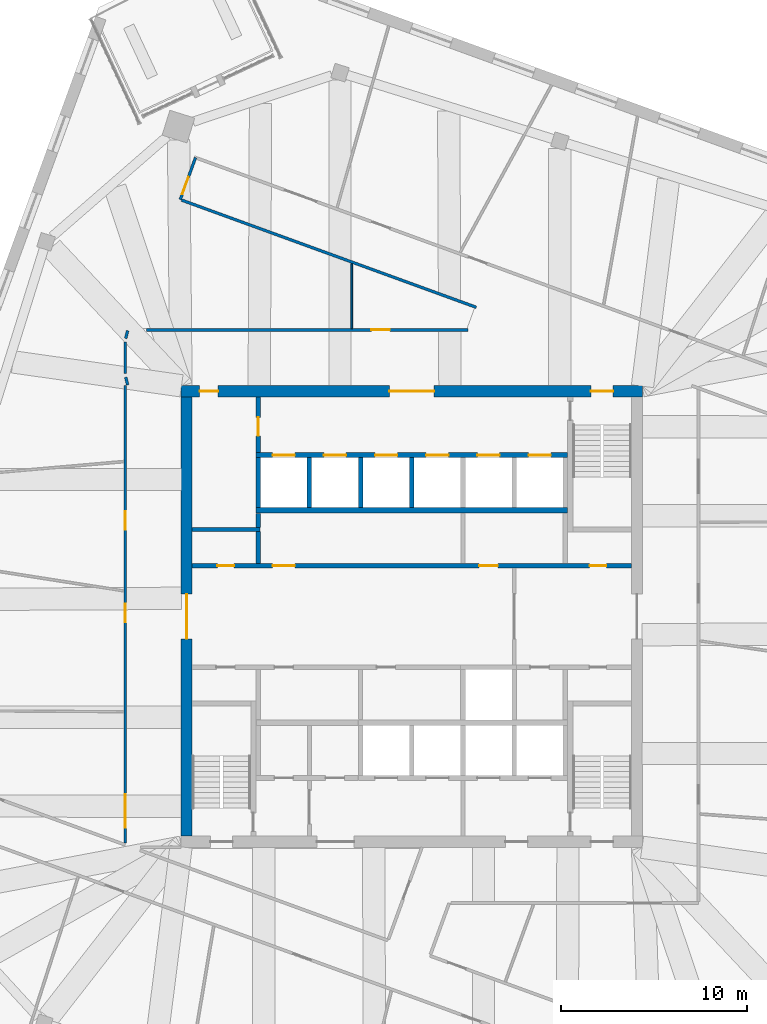
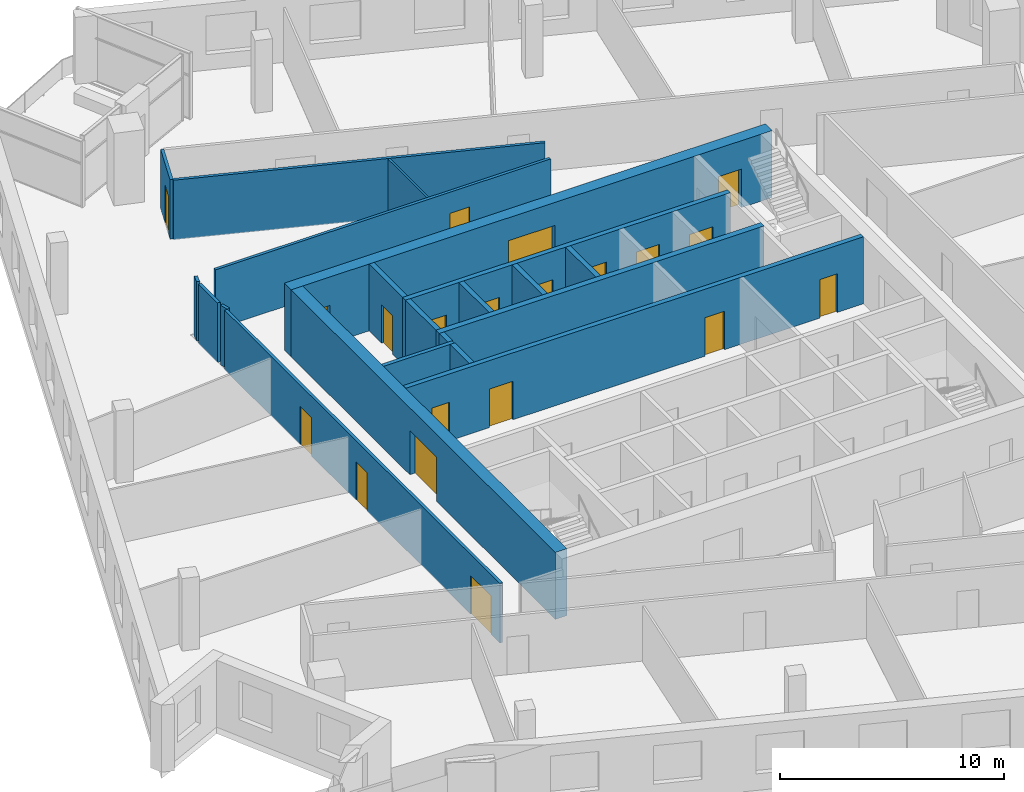
# One storey, part 9 of 13: 21 walls, 20 doors, 20 openings.
"""IFC4 building model written with IfcOpenShell, lengths in metres."""

from ifc_helpers import new_model, si_unit, direction, frame, frame_2d, origin, place, context, subcontext, project, spatial, rectangle, extrude, material, layer, layer_set, type_object, element, fill, save


model = new_model("IFC4")

# Units and contexts
model_context = context("Model", 3, precision=1e-05, world=origin(), true_north=direction((0.0, 1.0)))
body_context = subcontext(model_context, "Body", "Model", "MODEL_VIEW")
ifc_project = project(units=[si_unit("LENGTHUNIT", "METRE"), si_unit("AREAUNIT", "SQUARE_METRE"), si_unit("VOLUMEUNIT", "CUBIC_METRE"), si_unit("PLANEANGLEUNIT", "RADIAN"), si_unit("MASSUNIT", "GRAM", prefix="KILO")], contexts=[model_context])

# Site, building, storey
site_placement = place(None, origin())
site = spatial("IfcSite", under=ifc_project, at=site_placement, CompositionType="ELEMENT")
building_placement = place(site_placement, origin())
building = spatial("IfcBuilding", under=site, at=building_placement, Name="Dilmun Exchange Tower", CompositionType="ELEMENT")
storey_placement = place(building_placement, frame((0.0, 0.0, 304.5)))
storey = spatial("IfcBuildingStorey", under=building, at=storey_placement, Name="L72", CompositionType="ELEMENT", Elevation=304.5)

# Wall
ifc_material_1 = material(Name="Concrete C40/50", Category="concrete")
ifc_layer_1 = layer(ifc_material_1, 0.199951171875)
ifc_layer_set_1 = layer_set([ifc_layer_1], Name="Concrete C40/50")
wall_type_1 = type_object("IfcWallType", Name="Core partition wall 200", PredefinedType="PARTITIONING", material=ifc_layer_set_1)
wall_1_placement = place(storey_placement, frame((-11.794921875, 4.675048828125, 0.0), z_axis=(0.0, 0.0, 1.0), x_axis=(1.0, 0.0, 0.0)))
element("IfcWall", 1, at=wall_1_placement, inside=storey, type_object=wall_type_1, Name="L72 core partition wall 17", PredefinedType="PARTITIONING", context=body_context, shape_type="SweptSolid", body=[
    extrude(rectangle(XDim=3.64501953125, YDim=0.199951171875, at=frame_2d((1.822509765625, 0.0))), origin(), (0.0, 0.0, 1.0), 3.64990234375),
])

# Wall, openings, doors
ifc_layer_2 = layer(ifc_material_1, 0.25)
ifc_layer_set_2 = layer_set([ifc_layer_2], Name="Concrete C40/50")
wall_type_2 = type_object("IfcWallType", Name="Core partition wall 250", PredefinedType="PARTITIONING", material=ifc_layer_set_2)
wall_2_placement = place(storey_placement, frame((-11.794921875, 2.72509765625, 0.0), z_axis=(0.0, 0.0, 1.0), x_axis=(1.0, 0.0, 0.0)))
wall_2 = element("IfcWall", 2, at=wall_2_placement, inside=storey, type_object=wall_type_2, Name="L72 core partition wall 13", PredefinedType="PARTITIONING", context=body_context, shape_type="SweptSolid", body=[
    extrude(rectangle(XDim=23.58984375, YDim=0.25, at=frame_2d((11.794921875, 0.0))), origin(), (0.0, 0.0, 1.0), 3.64990234375),
])
opening_1_placement = place(wall_2_placement, frame((21.344970703125, 0.0, 0.0)))
opening_1 = element("IfcOpeningElement", 3, at=opening_1_placement, cuts=wall_2, Name="Opening CD6", PredefinedType="OPENING", context=body_context, shape_type="SweptSolid", body=[
    extrude(rectangle(XDim=0.89990234375, YDim=2.10009765625, at=frame_2d((0.449951171875, 1.050048828125))), frame((0.0, 0.135009765625, 0.0), z_axis=(0.0, -1.0, 0.0), x_axis=(1.0, 0.0, 0.0)), (0.0, 0.0, 1.0), 0.27001953125),
])
opening_2_placement = place(wall_2_placement, frame((1.344970703125, 0.0, 0.0)))
opening_2 = element("IfcOpeningElement", 4, at=opening_2_placement, cuts=wall_2, Name="Opening CD6", PredefinedType="OPENING", context=body_context, shape_type="SweptSolid", body=[
    extrude(rectangle(XDim=0.89990234375, YDim=2.10009765625, at=frame_2d((0.449951171875, 1.050048828125))), frame((0.0, 0.135009765625, 0.0), z_axis=(0.0, -1.0, 0.0), x_axis=(1.0, 0.0, 0.0)), (0.0, 0.0, 1.0), 0.27001953125),
])
opening_3_placement = place(wall_2_placement, frame((4.320068359375, 0.0, 0.0)))
opening_3 = element("IfcOpeningElement", 5, at=opening_3_placement, cuts=wall_2, Name="Opening CD3", PredefinedType="OPENING", context=body_context, shape_type="SweptSolid", body=[
    extrude(rectangle(XDim=1.199951171875, YDim=2.10009765625, at=frame_2d((0.60009765625, 1.050048828125))), frame((0.0, 0.135009765625, 0.0), z_axis=(0.0, -1.0, 0.0), x_axis=(1.0, 0.0, 0.0)), (0.0, 0.0, 1.0), 0.27001953125),
])
opening_4_placement = place(wall_2_placement, frame((15.419921875, 0.0, 0.0)))
opening_4 = element("IfcOpeningElement", 6, at=opening_4_placement, cuts=wall_2, Name="Opening CD4", PredefinedType="OPENING", context=body_context, shape_type="SweptSolid", body=[
    extrude(rectangle(XDim=1.0, YDim=2.10009765625, at=frame_2d((0.5, 1.050048828125))), frame((0.0, 0.135009765625, 0.0), z_axis=(0.0, -1.0, 0.0), x_axis=(1.0, 0.0, 0.0)), (0.0, 0.0, 1.0), 0.27001953125),
])
ifc_material_2 = material(Name="Fire-rated steel door set", Category="steel")
door_type_1 = type_object("IfcDoorType", Name="Core room door 1000x2100", OperationType="SINGLE_SWING_LEFT", PredefinedType="DOOR", material=ifc_material_2)
door_1_placement = place(opening_4_placement, origin())
door_1 = element("IfcDoor", 7, at=door_1_placement, inside=storey, type_object=door_type_1, Name="L72 door Mechanical room", OperationType="SINGLE_SWING_LEFT", OverallHeight=2.10009765625, OverallWidth=1.0, PredefinedType="DOOR", context=body_context, shape_type="SweptSolid", body=[
    extrude(rectangle(XDim=1.0, YDim=2.10009765625, at=frame_2d((0.5, 1.050048828125))), frame((0.0, 0.02490234375, 0.0), z_axis=(0.0, -1.0, 0.0), x_axis=(1.0, 0.0, 0.0)), (0.0, 0.0, 1.0), 0.050048828125),
])
fill(opening_4, door_1)
door_type_2 = type_object("IfcDoorType", Name="Core room door 900x2100", OperationType="SINGLE_SWING_LEFT", PredefinedType="DOOR", material=ifc_material_2)
door_2_placement = place(opening_1_placement, origin())
door_2 = element("IfcDoor", 8, at=door_2_placement, inside=storey, type_object=door_type_2, Name="L72 door Electrical riser", OperationType="SINGLE_SWING_LEFT", OverallHeight=2.10009765625, OverallWidth=0.89990234375, PredefinedType="DOOR", context=body_context, shape_type="SweptSolid", body=[
    extrude(rectangle(XDim=0.89990234375, YDim=2.10009765625, at=frame_2d((0.449951171875, 1.050048828125))), frame((0.0, 0.02490234375, 0.0), z_axis=(0.0, -1.0, 0.0), x_axis=(1.0, 0.0, 0.0)), (0.0, 0.0, 1.0), 0.050048828125),
])
fill(opening_1, door_2)
door_3_placement = place(opening_2_placement, origin())
door_3 = element("IfcDoor", 9, at=door_3_placement, inside=storey, type_object=door_type_2, Name="L72 door Plumbing riser", OperationType="SINGLE_SWING_LEFT", OverallHeight=2.10009765625, OverallWidth=0.89990234375, PredefinedType="DOOR", context=body_context, shape_type="SweptSolid", body=[
    extrude(rectangle(XDim=0.89990234375, YDim=2.10009765625, at=frame_2d((0.449951171875, 1.050048828125))), frame((0.0, 0.02490234375, 0.0), z_axis=(0.0, -1.0, 0.0), x_axis=(1.0, 0.0, 0.0)), (0.0, 0.0, 1.0), 0.050048828125),
])
fill(opening_2, door_3)
door_type_3 = type_object("IfcDoorType", Name="Stair exit door 1200x2100", OperationType="SINGLE_SWING_LEFT", PredefinedType="DOOR", material=ifc_material_2)
door_4_placement = place(opening_3_placement, origin())
door_4 = element("IfcDoor", 10, at=door_4_placement, inside=storey, type_object=door_type_3, Name="L72 door Quiet working room", OperationType="SINGLE_SWING_LEFT", OverallHeight=2.10009765625, OverallWidth=1.199951171875, PredefinedType="DOOR", context=body_context, shape_type="SweptSolid", body=[
    extrude(rectangle(XDim=1.199951171875, YDim=2.10009765625, at=frame_2d((0.60009765625, 1.050048828125))), frame((0.0, 0.02490234375, 0.0), z_axis=(0.0, -1.0, 0.0), x_axis=(1.0, 0.0, 0.0)), (0.0, 0.0, 1.0), 0.050048828125),
])
fill(opening_3, door_4)

# Walls
wall_3_placement = place(storey_placement, frame((-8.25, 2.85498046875, 0.0), z_axis=(0.0, 0.0, 1.0), x_axis=(0.0, 1.0, 0.0)))
element("IfcWall", 11, at=wall_3_placement, inside=storey, type_object=wall_type_2, Name="L72 core partition wall 14", PredefinedType="PARTITIONING", context=body_context, shape_type="SweptSolid", body=[
    extrude(rectangle(XDim=1.715087890625, YDim=0.25, at=frame_2d((0.857421875, 0.0))), origin(), (0.0, 0.0, 1.0), 3.64990234375),
])
wall_4_placement = place(storey_placement, frame((-8.25, 4.780029296875, 0.0), z_axis=(0.0, 0.0, 1.0), x_axis=(0.0, 1.0, 0.0)))
element("IfcWall", 12, at=wall_4_placement, inside=storey, type_object=wall_type_2, Name="L72 core partition wall 18", PredefinedType="PARTITIONING", context=body_context, shape_type="SweptSolid", body=[
    extrude(rectangle(XDim=0.764892578125, YDim=0.25, at=frame_2d((0.38232421875, 0.0))), origin(), (0.0, 0.0, 1.0), 3.64990234375),
])

# Wall, opening, door
wall_5_placement = place(storey_placement, frame((-8.25, 8.804931640625, 0.0), z_axis=(0.0, 0.0, 1.0), x_axis=(0.0, 1.0, 0.0)))
wall_5 = element("IfcWall", 13, at=wall_5_placement, inside=storey, type_object=wall_type_2, Name="L72 core partition wall 19", PredefinedType="PARTITIONING", context=body_context, shape_type="SweptSolid", body=[
    extrude(rectangle(XDim=2.989990234375, YDim=0.25, at=frame_2d((1.4951171875, 0.0))), origin(), (0.0, 0.0, 1.0), 3.64990234375),
])
opening_5_placement = place(wall_5_placement, frame((0.89501953125, 0.0, 0.0)))
opening_5 = element("IfcOpeningElement", 14, at=opening_5_placement, cuts=wall_5, Name="Opening CD4", PredefinedType="OPENING", context=body_context, shape_type="SweptSolid", body=[
    extrude(rectangle(XDim=1.0, YDim=2.10009765625, at=frame_2d((0.5, 1.050048828125))), frame((0.0, 0.135009765625, 0.0), z_axis=(0.0, -1.0, 0.0), x_axis=(1.0, 0.0, 0.0)), (0.0, 0.0, 1.0), 0.27001953125),
])
door_5_placement = place(opening_5_placement, origin())
door_5 = element("IfcDoor", 15, at=door_5_placement, inside=storey, type_object=door_type_1, Name="L72 door Facilities office", OperationType="SINGLE_SWING_LEFT", OverallHeight=2.10009765625, OverallWidth=1.0, PredefinedType="DOOR", context=body_context, shape_type="SweptSolid", body=[
    extrude(rectangle(XDim=1.0, YDim=2.10009765625, at=frame_2d((0.5, 1.050048828125))), frame((0.0, 0.02490234375, 0.0), z_axis=(0.0, -1.0, 0.0), x_axis=(1.0, 0.0, 0.0)), (0.0, 0.0, 1.0), 0.050048828125),
])
fill(opening_5, door_5)

# Wall, openings, doors
ifc_material_3 = material(Name="Concrete C50/60", Category="concrete")
ifc_layer_3 = layer(ifc_material_3, 0.60009765625)
ifc_layer_set_3 = layer_set([ifc_layer_3], Name="Concrete C50/60")
wall_type_3 = type_object("IfcWallType", Name="Core shear wall 600 Concrete C50/60", PredefinedType="SHEAR", material=ifc_layer_set_3)
wall_6_placement = place(storey_placement, frame((-12.39990234375, 12.10009765625, 0.0), z_axis=(0.0, 0.0, 1.0), x_axis=(1.0, 0.0, 0.0)))
wall_6 = element("IfcWall", 16, at=wall_6_placement, inside=storey, type_object=wall_type_3, Name="L72 core shear wall N", PredefinedType="SHEAR", context=body_context, shape_type="SweptSolid", body=[
    extrude(rectangle(XDim=24.7998046875, YDim=0.60009765625, at=frame_2d((12.39990234375, 0.0))), origin(), (0.0, 0.0, 1.0), 3.64990234375),
])
opening_6_placement = place(wall_6_placement, frame((11.199951171875, 0.0, 0.0)))
opening_6 = element("IfcOpeningElement", 17, at=opening_6_placement, cuts=wall_6, Name="Opening CD1", PredefinedType="OPENING", context=body_context, shape_type="SweptSolid", body=[
    extrude(rectangle(XDim=2.39990234375, YDim=2.39990234375, at=frame_2d((1.199951171875, 1.199951171875))), frame((0.0, 0.31005859375, 0.0), z_axis=(0.0, -1.0, 0.0), x_axis=(1.0, 0.0, 0.0)), (0.0, 0.0, 1.0), 0.6201171875),
])
opening_7_placement = place(wall_6_placement, frame((22.02490234375, 0.0, 0.0)))
opening_7 = element("IfcOpeningElement", 18, at=opening_7_placement, cuts=wall_6, Name="Opening CD3", PredefinedType="OPENING", context=body_context, shape_type="SweptSolid", body=[
    extrude(rectangle(XDim=1.199951171875, YDim=2.10009765625, at=frame_2d((0.60009765625, 1.050048828125))), frame((0.0, 0.31005859375, 0.0), z_axis=(0.0, -1.0, 0.0), x_axis=(1.0, 0.0, 0.0)), (0.0, 0.0, 1.0), 0.6201171875),
])
opening_8_placement = place(wall_6_placement, frame((1.0, 0.0, 0.0)))
opening_8 = element("IfcOpeningElement", 19, at=opening_8_placement, cuts=wall_6, Name="Opening CD4", PredefinedType="OPENING", context=body_context, shape_type="SweptSolid", body=[
    extrude(rectangle(XDim=1.0, YDim=2.10009765625, at=frame_2d((0.5, 1.050048828125))), frame((0.0, 0.31005859375, 0.0), z_axis=(0.0, -1.0, 0.0), x_axis=(1.0, 0.0, 0.0)), (0.0, 0.0, 1.0), 0.6201171875),
])
door_type_4 = type_object("IfcDoorType", Name="Core lobby door 2400x2400", OperationType="DOUBLE_DOOR_DOUBLE_SWING", PredefinedType="DOOR", material=ifc_material_2)
door_6_placement = place(opening_6_placement, origin())
door_6 = element("IfcDoor", 20, at=door_6_placement, inside=storey, type_object=door_type_4, Name="L72 door North lift lobby", OperationType="SINGLE_SWING_LEFT", OverallHeight=2.39990234375, OverallWidth=2.39990234375, PredefinedType="DOOR", context=body_context, shape_type="SweptSolid", body=[
    extrude(rectangle(XDim=2.39990234375, YDim=2.39990234375, at=frame_2d((1.199951171875, 1.199951171875))), frame((0.0, 0.02490234375, 0.0), z_axis=(0.0, -1.0, 0.0), x_axis=(1.0, 0.0, 0.0)), (0.0, 0.0, 1.0), 0.050048828125),
])
fill(opening_6, door_6)
door_7_placement = place(opening_8_placement, origin())
door_7 = element("IfcDoor", 21, at=door_7_placement, inside=storey, type_object=door_type_1, Name="L72 door North-west core rooms", OperationType="SINGLE_SWING_LEFT", OverallHeight=2.10009765625, OverallWidth=1.0, PredefinedType="DOOR", context=body_context, shape_type="SweptSolid", body=[
    extrude(rectangle(XDim=1.0, YDim=2.10009765625, at=frame_2d((0.5, 1.050048828125))), frame((0.0, 0.02490234375, 0.0), z_axis=(0.0, -1.0, 0.0), x_axis=(1.0, 0.0, 0.0)), (0.0, 0.0, 1.0), 0.050048828125),
])
fill(opening_8, door_7)
door_8_placement = place(opening_7_placement, origin())
door_8 = element("IfcDoor", 22, at=door_8_placement, inside=storey, type_object=door_type_3, Name="L72 door Stair ST1", OperationType="SINGLE_SWING_LEFT", OverallHeight=2.10009765625, OverallWidth=1.199951171875, PredefinedType="DOOR", context=body_context, shape_type="SweptSolid", body=[
    extrude(rectangle(XDim=1.199951171875, YDim=2.10009765625, at=frame_2d((0.60009765625, 1.050048828125))), frame((0.0, 0.02490234375, 0.0), z_axis=(0.0, -1.0, 0.0), x_axis=(1.0, 0.0, 0.0)), (0.0, 0.0, 1.0), 0.050048828125),
])
fill(opening_7, door_8)

# Wall, opening, door
wall_7_placement = place(storey_placement, frame((-12.10009765625, -11.800048828125, 0.0), z_axis=(0.0, 0.0, 1.0), x_axis=(0.0, 1.0, 0.0)))
wall_7 = element("IfcWall", 23, at=wall_7_placement, inside=storey, type_object=wall_type_3, Name="L72 core shear wall W", PredefinedType="SHEAR", context=body_context, shape_type="SweptSolid", body=[
    extrude(rectangle(XDim=23.60009765625, YDim=0.60009765625, at=frame_2d((11.800048828125, 0.0))), origin(), (0.0, 0.0, 1.0), 3.64990234375),
])
opening_9_placement = place(wall_7_placement, frame((10.60009765625, 0.0, 0.0)))
opening_9 = element("IfcOpeningElement", 24, at=opening_9_placement, cuts=wall_7, Name="Opening CD1", PredefinedType="OPENING", context=body_context, shape_type="SweptSolid", body=[
    extrude(rectangle(XDim=2.39990234375, YDim=2.39990234375, at=frame_2d((1.199951171875, 1.199951171875))), frame((0.0, 0.31005859375, 0.0), z_axis=(0.0, -1.0, 0.0), x_axis=(1.0, 0.0, 0.0)), (0.0, 0.0, 1.0), 0.6201171875),
])
door_9_placement = place(opening_9_placement, origin())
door_9 = element("IfcDoor", 25, at=door_9_placement, inside=storey, type_object=door_type_4, Name="L72 door Central lift lobby", OperationType="SINGLE_SWING_LEFT", OverallHeight=2.39990234375, OverallWidth=2.39990234375, PredefinedType="DOOR", context=body_context, shape_type="SweptSolid", body=[
    extrude(rectangle(XDim=2.39990234375, YDim=2.39990234375, at=frame_2d((1.199951171875, 1.199951171875))), frame((0.0, 0.02490234375, 0.0), z_axis=(0.0, -1.0, 0.0), x_axis=(1.0, 0.0, 0.0)), (0.0, 0.0, 1.0), 0.050048828125),
])
fill(opening_9, door_9)

# Wall, openings, doors
ifc_material_4 = material(Name="Corridor wall 150")
ifc_layer_4 = layer(ifc_material_4, 0.14990234375)
ifc_layer_set_4 = layer_set([ifc_layer_4], Name="Corridor wall 150")
wall_type_4 = type_object("IfcWallType", Name="Corridor wall 150", PredefinedType="PARTITIONING", material=ifc_layer_set_4)
wall_8_placement = place(storey_placement, frame((-15.39990234375, -12.160888671875, 0.0), z_axis=(0.0, 0.0, 1.0), x_axis=(0.0, 1.0, 0.0)))
wall_8 = element("IfcWall", 26, at=wall_8_placement, inside=storey, type_object=wall_type_4, Name="Corridor wall", PredefinedType="PARTITIONING", context=body_context, shape_type="SweptSolid", body=[
    extrude(rectangle(XDim=24.560791015625, YDim=0.14990234375, at=frame_2d((12.2802734375, 0.0))), origin(), (0.0, 0.0, 1.0), 3.25),
])
opening_10_placement = place(wall_8_placement, frame((0.800048828125, 0.0, 0.0)))
opening_10 = element("IfcOpeningElement", 27, at=opening_10_placement, cuts=wall_8, Name="Opening TF72-D01", PredefinedType="OPENING", context=body_context, shape_type="SweptSolid", body=[
    extrude(rectangle(XDim=1.800048828125, YDim=2.10009765625, at=frame_2d((0.89990234375, 1.050048828125))), frame((0.0, 0.0849609375, 0.0), z_axis=(0.0, -1.0, 0.0), x_axis=(1.0, 0.0, 0.0)), (0.0, 0.0, 1.0), 0.169921875),
])
opening_11_placement = place(wall_8_placement, frame((11.84521484375, 0.0, 0.0)))
opening_11 = element("IfcOpeningElement", 28, at=opening_11_placement, cuts=wall_8, Name="Opening TF72-D03", PredefinedType="OPENING", context=body_context, shape_type="SweptSolid", body=[
    extrude(rectangle(XDim=1.0, YDim=2.10009765625, at=frame_2d((0.5, 1.050048828125))), frame((0.0, 0.0849609375, 0.0), z_axis=(0.0, -1.0, 0.0), x_axis=(1.0, 0.0, 0.0)), (0.0, 0.0, 1.0), 0.169921875),
])
opening_12_placement = place(wall_8_placement, frame((16.823974609375, 0.0, 0.0)))
opening_12 = element("IfcOpeningElement", 29, at=opening_12_placement, cuts=wall_8, Name="Opening TF72-D04", PredefinedType="OPENING", context=body_context, shape_type="SweptSolid", body=[
    extrude(rectangle(XDim=1.0, YDim=2.10009765625, at=frame_2d((0.5, 1.050048828125))), frame((0.0, 0.0849609375, 0.0), z_axis=(0.0, -1.0, 0.0), x_axis=(1.0, 0.0, 0.0)), (0.0, 0.0, 1.0), 0.169921875),
])
ifc_material_5 = material(Name="Fire door 1000 x 2100")
door_type_5 = type_object("IfcDoorType", Name="Fire door 1000 x 2100", OperationType="NOTDEFINED", PredefinedType="DOOR", material=ifc_material_5)
door_10_placement = place(opening_11_placement, origin())
door_10 = element("IfcDoor", 30, at=door_10_placement, inside=storey, type_object=door_type_5, Name="Door TF72-D03", OperationType="SINGLE_SWING_LEFT", OverallHeight=2.10009765625, OverallWidth=1.0, PredefinedType="DOOR", context=body_context, shape_type="SweptSolid", body=[
    extrude(rectangle(XDim=1.0, YDim=2.10009765625, at=frame_2d((0.5, 1.050048828125))), frame((0.0, 0.02490234375, 0.0), z_axis=(0.0, -1.0, 0.0), x_axis=(1.0, 0.0, 0.0)), (0.0, 0.0, 1.0), 0.050048828125),
])
fill(opening_11, door_10)
door_11_placement = place(opening_12_placement, origin())
door_11 = element("IfcDoor", 31, at=door_11_placement, inside=storey, type_object=door_type_5, Name="Door TF72-D04", OperationType="SINGLE_SWING_RIGHT", OverallHeight=2.10009765625, OverallWidth=1.0, PredefinedType="DOOR", context=body_context, shape_type="SweptSolid", body=[
    extrude(rectangle(XDim=1.0, YDim=2.10009765625, at=frame_2d((0.5, 1.050048828125))), frame((0.0, 0.02490234375, 0.0), z_axis=(0.0, -1.0, 0.0), x_axis=(1.0, 0.0, 0.0)), (0.0, 0.0, 1.0), 0.050048828125),
])
fill(opening_12, door_11)
ifc_material_6 = material(Name="Fire door pair 1800 x 2100")
door_type_6 = type_object("IfcDoorType", Name="Fire door pair 1800 x 2100", OperationType="NOTDEFINED", PredefinedType="DOOR", material=ifc_material_6)
door_12_placement = place(opening_10_placement, origin())
door_12 = element("IfcDoor", 32, at=door_12_placement, inside=storey, type_object=door_type_6, Name="Door TF72-D01", OperationType="DOUBLE_DOOR_SINGLE_SWING", OverallHeight=2.10009765625, OverallWidth=1.800048828125, PredefinedType="DOOR", context=body_context, shape_type="SweptSolid", body=[
    extrude(rectangle(XDim=1.800048828125, YDim=2.10009765625, at=frame_2d((0.89990234375, 1.050048828125))), frame((0.0, 0.02490234375, 0.0), z_axis=(0.0, -1.0, 0.0), x_axis=(1.0, 0.0, 0.0)), (0.0, 0.0, 1.0), 0.050048828125),
])
fill(opening_10, door_12)

# Walls
wall_9_placement = place(storey_placement, frame((-15.39990234375, 13.050048828125, 0.0), z_axis=(0.0, 0.0, 1.0), x_axis=(0.0, 1.0, 0.0)))
element("IfcWall", 33, at=wall_9_placement, inside=storey, type_object=wall_type_4, Name="Corridor wall", PredefinedType="PARTITIONING", context=body_context, shape_type="SweptSolid", body=[
    extrude(rectangle(XDim=1.699951171875, YDim=0.14990234375, at=frame_2d((0.85009765625, 0.0))), origin(), (0.0, 0.0, 1.0), 3.25),
])
wall_10_placement = place(storey_placement, frame((-15.263427734375, 12.440185546875, 0.0), z_axis=(0.0, 0.0, 1.0), x_axis=(-0.249928977064, 0.968264171817, 0.0)))
element("IfcWall", 34, at=wall_10_placement, inside=storey, type_object=wall_type_4, Name="Corridor wall", PredefinedType="PARTITIONING", context=body_context, shape_type="SweptSolid", body=[
    extrude(rectangle(XDim=0.434814453125, YDim=0.14990234375, at=frame_2d((0.21728515625, 0.0))), origin(), (0.0, 0.0, 1.0), 3.25),
])
wall_11_placement = place(storey_placement, frame((-15.263427734375, 15.359619140625, 0.0), z_axis=(0.0, 0.0, 1.0), x_axis=(-0.250064963452, -0.968229060736, 0.0)))
element("IfcWall", 35, at=wall_11_placement, inside=storey, type_object=wall_type_4, Name="Corridor wall", PredefinedType="PARTITIONING", context=body_context, shape_type="SweptSolid", body=[
    extrude(rectangle(XDim=0.4345703125, YDim=0.14990234375, at=frame_2d((0.21728515625, 0.0))), origin(), (0.0, 0.0, 1.0), 3.25),
])

# Wall, opening, door
wall_12_placement = place(storey_placement, frame((-14.250244140625, 15.39990234375, 0.0), z_axis=(0.0, 0.0, 1.0), x_axis=(1.0, 0.0, 0.0)))
wall_12 = element("IfcWall", 36, at=wall_12_placement, inside=storey, type_object=wall_type_4, Name="Corridor wall", PredefinedType="PARTITIONING", context=body_context, shape_type="SweptSolid", body=[
    extrude(rectangle(XDim=17.273193359375, YDim=0.14990234375, at=frame_2d((8.63671875, 0.0))), origin(), (0.0, 0.0, 1.0), 3.25),
])
opening_13_placement = place(wall_12_placement, frame((12.074951171875, 0.0, 0.0)))
opening_13 = element("IfcOpeningElement", 37, at=opening_13_placement, cuts=wall_12, Name="Opening TF72-D10", PredefinedType="OPENING", context=body_context, shape_type="SweptSolid", body=[
    extrude(rectangle(XDim=1.0, YDim=2.10009765625, at=frame_2d((0.5, 1.050048828125))), frame((0.0, 0.0849609375, 0.0), z_axis=(0.0, -1.0, 0.0), x_axis=(1.0, 0.0, 0.0)), (0.0, 0.0, 1.0), 0.169921875),
])
door_13_placement = place(opening_13_placement, origin())
door_13 = element("IfcDoor", 38, at=door_13_placement, inside=storey, type_object=door_type_5, Name="Door TF72-D10", OperationType="SINGLE_SWING_RIGHT", OverallHeight=2.10009765625, OverallWidth=1.0, PredefinedType="DOOR", context=body_context, shape_type="SweptSolid", body=[
    extrude(rectangle(XDim=1.0, YDim=2.10009765625, at=frame_2d((0.5, 1.050048828125))), frame((0.0, 0.02490234375, 0.0), z_axis=(0.0, -1.0, 0.0), x_axis=(1.0, 0.0, 0.0)), (0.0, 0.0, 1.0), 0.050048828125),
])
fill(opening_13, door_13)

wall_13_placement = place(storey_placement, frame((-12.43994140625, 22.402099609375, 0.0), z_axis=(0.0, 0.0, 1.0), x_axis=(0.342143298706, 0.939647786753, 0.0)))
wall_13 = element("IfcWall", 39, at=wall_13_placement, inside=storey, type_object=wall_type_4, Name="Corridor wall", PredefinedType="PARTITIONING", context=body_context, shape_type="SweptSolid", body=[
    extrude(rectangle(XDim=2.399658203125, YDim=0.14990234375, at=frame_2d((1.19970703125, 0.0))), origin(), (0.0, 0.0, 1.0), 3.25),
])
opening_14_placement = place(wall_13_placement, frame((0.300048828125, 0.0, 0.0)))
opening_14 = element("IfcOpeningElement", 40, at=opening_14_placement, cuts=wall_13, Name="Opening TF72-D07", PredefinedType="OPENING", context=body_context, shape_type="SweptSolid", body=[
    extrude(rectangle(XDim=1.0, YDim=2.10009765625, at=frame_2d((0.5, 1.050048828125))), frame((0.0, 0.0849609375, 0.0), z_axis=(0.0, -1.0, 0.0), x_axis=(1.0, 0.0, 0.0)), (0.0, 0.0, 1.0), 0.169921875),
])
door_14_placement = place(opening_14_placement, origin())
door_14 = element("IfcDoor", 41, at=door_14_placement, inside=storey, type_object=door_type_5, Name="Door TF72-D07", OperationType="SINGLE_SWING_LEFT", OverallHeight=2.10009765625, OverallWidth=1.0, PredefinedType="DOOR", context=body_context, shape_type="SweptSolid", body=[
    extrude(rectangle(XDim=1.0, YDim=2.10009765625, at=frame_2d((0.5, 1.050048828125))), frame((0.0, 0.02490234375, 0.0), z_axis=(0.0, -1.0, 0.0), x_axis=(1.0, 0.0, 0.0)), (0.0, 0.0, 1.0), 0.050048828125),
])
fill(opening_14, door_14)

# Walls
wall_14_placement = place(storey_placement, frame((-12.369384765625, 22.376220703125, 0.0), z_axis=(0.0, 0.0, 1.0), x_axis=(0.939694397018, -0.342015263129, 0.0)))
element("IfcWall", 42, at=wall_14_placement, inside=storey, type_object=wall_type_4, Name="Corridor wall", PredefinedType="PARTITIONING", context=body_context, shape_type="SweptSolid", body=[
    extrude(rectangle(XDim=16.8505859375, YDim=0.14990234375, at=frame_2d((8.42529296875, 0.0))), origin(), (0.0, 0.0, 1.0), 3.25),
])
ifc_layer_5 = layer(ifc_material_1, 0.300048828125)
ifc_layer_set_5 = layer_set([ifc_layer_5], Name="Concrete C40/50")
wall_type_5 = type_object("IfcWallType", Name="Lift shaft shared wall 300", PredefinedType="SOLIDWALL", material=ifc_layer_set_5)
wall_15_placement = place(storey_placement, frame((-8.375, 5.699951171875, 0.0), z_axis=(0.0, 0.0, 1.0), x_axis=(1.0, 0.0, 0.0)))
element("IfcWall", 43, at=wall_15_placement, inside=storey, type_object=wall_type_5, Name="L72 lift shaft rear wall N", PredefinedType="SOLIDWALL", context=body_context, shape_type="SweptSolid", body=[
    extrude(rectangle(XDim=16.75, YDim=0.300048828125, at=frame_2d((8.375, 0.0))), origin(), (0.0, 0.0, 1.0), 3.64990234375),
])

# Wall, openings, doors
ifc_layer_6 = layer(ifc_material_1, 0.25)
ifc_layer_set_6 = layer_set([ifc_layer_6], Name="Concrete C40/50")
wall_type_6 = type_object("IfcWallType", Name="Lift shaft wall 250", PredefinedType="SOLIDWALL", material=ifc_layer_set_6)
wall_16_placement = place(storey_placement, frame((-8.375, 8.675048828125, 0.0), z_axis=(0.0, 0.0, 1.0), x_axis=(1.0, 0.0, 0.0)))
wall_16 = element("IfcWall", 44, at=wall_16_placement, inside=storey, type_object=wall_type_6, Name="L72 lift shaft front wall N2", PredefinedType="SOLIDWALL", context=body_context, shape_type="SweptSolid", body=[
    extrude(rectangle(XDim=16.75, YDim=0.25, at=frame_2d((8.375, 0.0))), origin(), (0.0, 0.0, 1.0), 3.64990234375),
])
opening_15_placement = place(wall_16_placement, frame((0.89990234375, 0.0, 0.0)))
opening_15 = element("IfcOpeningElement", 45, at=opening_15_placement, cuts=wall_16, Name="Opening LD", PredefinedType="OPENING", context=body_context, shape_type="SweptSolid", body=[
    extrude(rectangle(XDim=1.199951171875, YDim=2.10009765625, at=frame_2d((0.60009765625, 1.050048828125))), frame((0.0, 0.135009765625, 0.0), z_axis=(0.0, -1.0, 0.0), x_axis=(1.0, 0.0, 0.0)), (0.0, 0.0, 1.0), 0.27001953125),
])
opening_16_placement = place(wall_16_placement, frame((3.64990234375, 0.0, 0.0)))
opening_16 = element("IfcOpeningElement", 46, at=opening_16_placement, cuts=wall_16, Name="Opening LD", PredefinedType="OPENING", context=body_context, shape_type="SweptSolid", body=[
    extrude(rectangle(XDim=1.199951171875, YDim=2.10009765625, at=frame_2d((0.60009765625, 1.050048828125))), frame((0.0, 0.135009765625, 0.0), z_axis=(0.0, -1.0, 0.0), x_axis=(1.0, 0.0, 0.0)), (0.0, 0.0, 1.0), 0.27001953125),
])
opening_17_placement = place(wall_16_placement, frame((6.39990234375, 0.0, 0.0)))
opening_17 = element("IfcOpeningElement", 47, at=opening_17_placement, cuts=wall_16, Name="Opening LD", PredefinedType="OPENING", context=body_context, shape_type="SweptSolid", body=[
    extrude(rectangle(XDim=1.199951171875, YDim=2.10009765625, at=frame_2d((0.60009765625, 1.050048828125))), frame((0.0, 0.135009765625, 0.0), z_axis=(0.0, -1.0, 0.0), x_axis=(1.0, 0.0, 0.0)), (0.0, 0.0, 1.0), 0.27001953125),
])
opening_18_placement = place(wall_16_placement, frame((9.14990234375, 0.0, 0.0)))
opening_18 = element("IfcOpeningElement", 48, at=opening_18_placement, cuts=wall_16, Name="Opening LD", PredefinedType="OPENING", context=body_context, shape_type="SweptSolid", body=[
    extrude(rectangle(XDim=1.199951171875, YDim=2.10009765625, at=frame_2d((0.60009765625, 1.050048828125))), frame((0.0, 0.135009765625, 0.0), z_axis=(0.0, -1.0, 0.0), x_axis=(1.0, 0.0, 0.0)), (0.0, 0.0, 1.0), 0.27001953125),
])
opening_19_placement = place(wall_16_placement, frame((11.89990234375, 0.0, 0.0)))
opening_19 = element("IfcOpeningElement", 49, at=opening_19_placement, cuts=wall_16, Name="Opening LD", PredefinedType="OPENING", context=body_context, shape_type="SweptSolid", body=[
    extrude(rectangle(XDim=1.199951171875, YDim=2.10009765625, at=frame_2d((0.60009765625, 1.050048828125))), frame((0.0, 0.135009765625, 0.0), z_axis=(0.0, -1.0, 0.0), x_axis=(1.0, 0.0, 0.0)), (0.0, 0.0, 1.0), 0.27001953125),
])
opening_20_placement = place(wall_16_placement, frame((14.64990234375, 0.0, 0.0)))
opening_20 = element("IfcOpeningElement", 50, at=opening_20_placement, cuts=wall_16, Name="Opening LD", PredefinedType="OPENING", context=body_context, shape_type="SweptSolid", body=[
    extrude(rectangle(XDim=1.199951171875, YDim=2.10009765625, at=frame_2d((0.60009765625, 1.050048828125))), frame((0.0, 0.135009765625, 0.0), z_axis=(0.0, -1.0, 0.0), x_axis=(1.0, 0.0, 0.0)), (0.0, 0.0, 1.0), 0.27001953125),
])
door_type_7 = type_object("IfcDoorType", Name="Lift landing door 1200x2100", OperationType="DOUBLE_DOOR_SLIDING", PredefinedType="DOOR", material=ifc_material_2)
door_15_placement = place(opening_15_placement, origin())
door_15 = element("IfcDoor", 51, at=door_15_placement, inside=storey, type_object=door_type_7, Name="L72 landing door HR1", OperationType="DOUBLE_DOOR_SLIDING", OverallHeight=2.10009765625, OverallWidth=1.199951171875, PredefinedType="DOOR", context=body_context, shape_type="SweptSolid", body=[
    extrude(rectangle(XDim=1.199951171875, YDim=2.10009765625, at=frame_2d((0.60009765625, 1.050048828125))), frame((0.0, 0.02490234375, 0.0), z_axis=(0.0, -1.0, 0.0), x_axis=(1.0, 0.0, 0.0)), (0.0, 0.0, 1.0), 0.050048828125),
])
fill(opening_15, door_15)
door_16_placement = place(opening_16_placement, origin())
door_16 = element("IfcDoor", 52, at=door_16_placement, inside=storey, type_object=door_type_7, Name="L72 landing door HR2", OperationType="DOUBLE_DOOR_SLIDING", OverallHeight=2.10009765625, OverallWidth=1.199951171875, PredefinedType="DOOR", context=body_context, shape_type="SweptSolid", body=[
    extrude(rectangle(XDim=1.199951171875, YDim=2.10009765625, at=frame_2d((0.60009765625, 1.050048828125))), frame((0.0, 0.02490234375, 0.0), z_axis=(0.0, -1.0, 0.0), x_axis=(1.0, 0.0, 0.0)), (0.0, 0.0, 1.0), 0.050048828125),
])
fill(opening_16, door_16)
door_17_placement = place(opening_17_placement, origin())
door_17 = element("IfcDoor", 53, at=door_17_placement, inside=storey, type_object=door_type_7, Name="L72 landing door HR3", OperationType="DOUBLE_DOOR_SLIDING", OverallHeight=2.10009765625, OverallWidth=1.199951171875, PredefinedType="DOOR", context=body_context, shape_type="SweptSolid", body=[
    extrude(rectangle(XDim=1.199951171875, YDim=2.10009765625, at=frame_2d((0.60009765625, 1.050048828125))), frame((0.0, 0.02490234375, 0.0), z_axis=(0.0, -1.0, 0.0), x_axis=(1.0, 0.0, 0.0)), (0.0, 0.0, 1.0), 0.050048828125),
])
fill(opening_17, door_17)
door_18_placement = place(opening_18_placement, origin())
door_18 = element("IfcDoor", 54, at=door_18_placement, inside=storey, type_object=door_type_7, Name="L72 landing door HR4", OperationType="DOUBLE_DOOR_SLIDING", OverallHeight=2.10009765625, OverallWidth=1.199951171875, PredefinedType="DOOR", context=body_context, shape_type="SweptSolid", body=[
    extrude(rectangle(XDim=1.199951171875, YDim=2.10009765625, at=frame_2d((0.60009765625, 1.050048828125))), frame((0.0, 0.02490234375, 0.0), z_axis=(0.0, -1.0, 0.0), x_axis=(1.0, 0.0, 0.0)), (0.0, 0.0, 1.0), 0.050048828125),
])
fill(opening_18, door_18)
door_19_placement = place(opening_19_placement, origin())
door_19 = element("IfcDoor", 55, at=door_19_placement, inside=storey, type_object=door_type_7, Name="L72 landing door HR5", OperationType="DOUBLE_DOOR_SLIDING", OverallHeight=2.10009765625, OverallWidth=1.199951171875, PredefinedType="DOOR", context=body_context, shape_type="SweptSolid", body=[
    extrude(rectangle(XDim=1.199951171875, YDim=2.10009765625, at=frame_2d((0.60009765625, 1.050048828125))), frame((0.0, 0.02490234375, 0.0), z_axis=(0.0, -1.0, 0.0), x_axis=(1.0, 0.0, 0.0)), (0.0, 0.0, 1.0), 0.050048828125),
])
fill(opening_19, door_19)
door_20_placement = place(opening_20_placement, origin())
door_20 = element("IfcDoor", 56, at=door_20_placement, inside=storey, type_object=door_type_7, Name="L72 landing door HR6", OperationType="DOUBLE_DOOR_SLIDING", OverallHeight=2.10009765625, OverallWidth=1.199951171875, PredefinedType="DOOR", context=body_context, shape_type="SweptSolid", body=[
    extrude(rectangle(XDim=1.199951171875, YDim=2.10009765625, at=frame_2d((0.60009765625, 1.050048828125))), frame((0.0, 0.02490234375, 0.0), z_axis=(0.0, -1.0, 0.0), x_axis=(1.0, 0.0, 0.0)), (0.0, 0.0, 1.0), 0.050048828125),
])
fill(opening_20, door_20)

# Walls
for number, where, z_axis, x_axis, name in (
    (57, (-8.25, 5.85009765625, 0.0), (0.0, 0.0, 1.0), (0.0, 1.0, 0.0), "L72 lift shaft divider N20"),
    (58, (-5.5, 5.85009765625, 0.0), (0.0, 0.0, 1.0), (0.0, 1.0, 0.0), "L72 lift shaft divider N21"),
    (59, (-2.75, 5.85009765625, 0.0), (0.0, 0.0, 1.0), (0.0, 1.0, 0.0), "L72 lift shaft divider N22"),
    (60, (0.0, 5.85009765625, 0.0), (0.0, 0.0, 1.0), (0.0, 1.0, 0.0), "L72 lift shaft divider N23"),
):
    element("IfcWall", number, at=place(storey_placement, frame(where, z_axis=z_axis, x_axis=x_axis)), inside=storey, type_object=wall_type_6, Name=name, PredefinedType="SOLIDWALL", context=body_context, shape_type="SweptSolid", body=[
        extrude(rectangle(XDim=2.699951171875, YDim=0.25, at=frame_2d((1.35009765625, 0.0))), origin(), (0.0, 0.0, 1.0), 3.64990234375),
    ])
ifc_material_7 = material(Name="Partition 100")
ifc_layer_7 = layer(ifc_material_7, 0.10009765625)
ifc_layer_set_7 = layer_set([ifc_layer_7], Name="Partition 100")
wall_type_7 = type_object("IfcWallType", Name="Partition 100", PredefinedType="PARTITIONING", material=ifc_layer_set_7)
wall_17_placement = place(storey_placement, frame((-3.22509765625, 15.47509765625, 0.0), z_axis=(0.0, 0.0, 1.0), x_axis=(0.0, 1.0, 0.0)))
element("IfcWall", 61, at=wall_17_placement, inside=storey, type_object=wall_type_7, Name="Partition", PredefinedType="PARTITIONING", context=body_context, shape_type="SweptSolid", body=[
    extrude(rectangle(XDim=3.474853515625, YDim=0.10009765625, at=frame_2d((1.7373046875, 0.0))), origin(), (0.0, 0.0, 1.0), 3.25),
])

save(model, "model.ifc")
